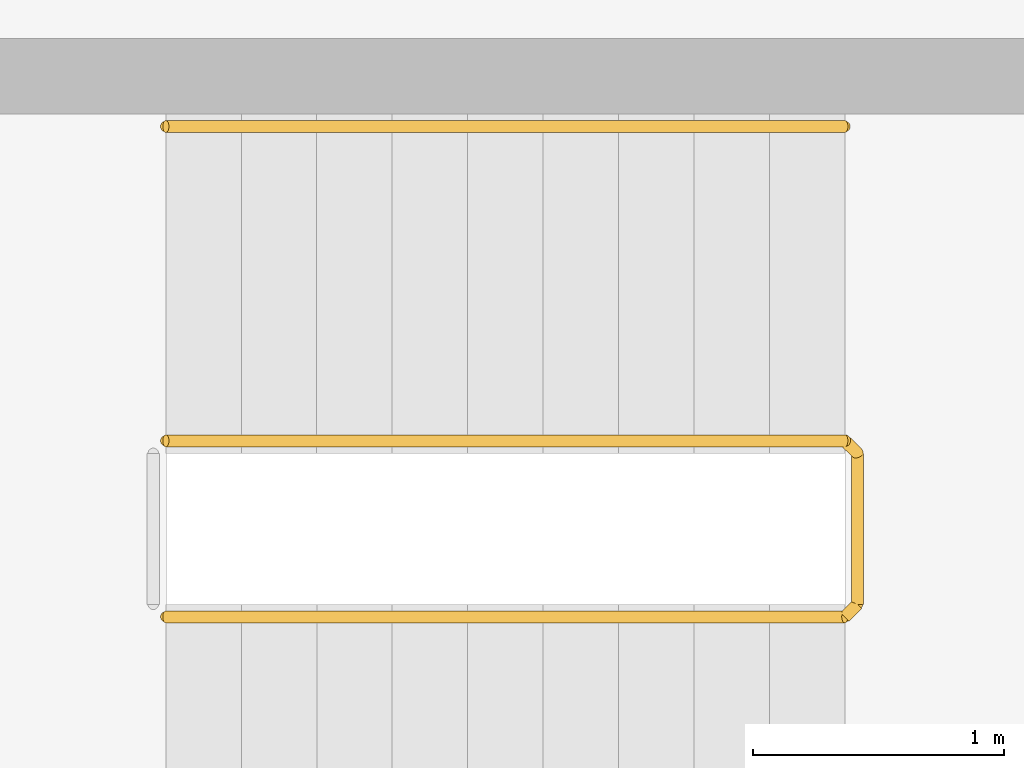
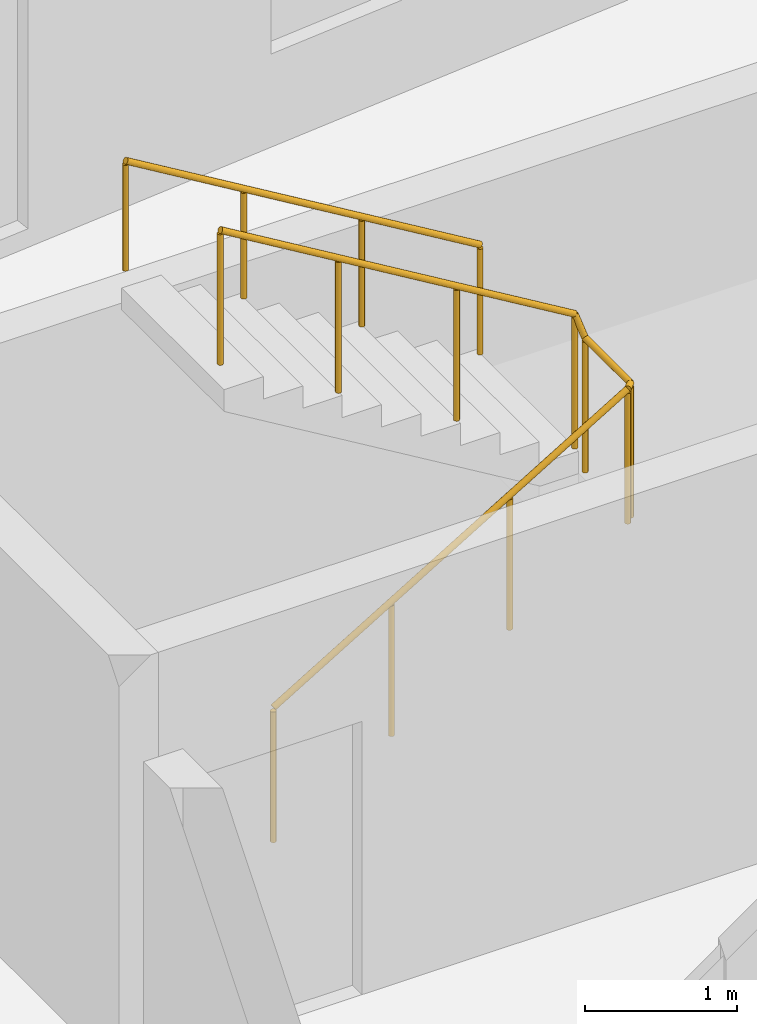
# One storey, part 13 of 13: 2 railings.
"""IFC4 building model written with IfcOpenShell, lengths in metres."""

from ifc_helpers import new_model, si_unit, direction, frame, origin, origin_2d, place, context, subcontext, project, spatial, circle, extrude, material, type_object, element, save


model = new_model("IFC4")

# Units and contexts
model_context = context("Model", 3, precision=1e-05, world=origin(), true_north=direction((0.0, 1.0)))
body_context = subcontext(model_context, "Body", "Model", "MODEL_VIEW")
ifc_project = project(units=[si_unit("LENGTHUNIT", "METRE"), si_unit("AREAUNIT", "SQUARE_METRE"), si_unit("VOLUMEUNIT", "CUBIC_METRE"), si_unit("PLANEANGLEUNIT", "RADIAN"), si_unit("MASSUNIT", "GRAM", prefix="KILO")], contexts=[model_context])

# Site, building, storey
site_placement = place(None, origin())
site = spatial("IfcSite", under=ifc_project, at=site_placement, CompositionType="ELEMENT")
building_placement = place(site_placement, origin())
building = spatial("IfcBuilding", under=site, at=building_placement, Name="Brondeck Convention Tower", CompositionType="ELEMENT")
storey_placement = place(building_placement, frame((0.0, 0.0, 44.699951171875)))
storey = spatial("IfcBuildingStorey", under=building, at=storey_placement, Name="L08", CompositionType="ELEMENT", Elevation=44.699951171875)

# Railings
ifc_material = material(Name="Steel S355", Category="steel")
railing_type_1 = type_object("IfcRailingType", Name="Stair guard 1100", PredefinedType="GUARDRAIL", material=ifc_material)
railing_1_placement = place(storey_placement, frame((37.85009765625, 55.449951171875, 0.179931640625)))
element("IfcRailing", 1, at=railing_1_placement, inside=storey, type_object=railing_type_1, Name="L08 ST-AE stair guard 1", PredefinedType="GUARDRAIL", context=body_context, shape_type="SweptSolid", body=[
    extrude(circle(Radius=0.02392578125, at=origin_2d()), frame((0.0, 0.0, 1.076171875), z_axis=(0.857472400752, 0.0, 0.514529962148), x_axis=(0.0, 1.0, 0.0)), (0.0, 0.0, 1.0), 3.148681640625),
    extrude(circle(Radius=0.02392578125, at=origin_2d()), frame((2.699951171875, 0.0, 2.6962890625), z_axis=(0.707106781187, 0.707106781187, 0.0), x_axis=(-0.707106781187, 0.707106781187, 0.0)), (0.0, 0.0, 1.0), 0.07080078125),
    extrude(circle(Radius=0.02392578125, at=origin_2d()), frame((2.75, 0.050048828125, 2.6962890625), z_axis=(0.0, 1.0, 0.0), x_axis=(-1.0, 0.0, 0.0)), (0.0, 0.0, 1.0), 0.60009765625),
    extrude(circle(Radius=0.02392578125, at=origin_2d()), frame((2.75, 0.650146484375, 2.6962890625), z_axis=(-0.258932105505, 0.257669022063, 0.930892496375), x_axis=(-0.705375805398, -0.708833529934, 0.0)), (0.0, 0.0, 1.0), 0.193359375),
    extrude(circle(Radius=0.02392578125, at=origin_2d()), frame((2.699951171875, 0.699951171875, 2.8759765625), z_axis=(-0.857472400752, 0.0, 0.514529962148), x_axis=(0.0, -1.0, 0.0)), (0.0, 0.0, 1.0), 3.148681640625),
    extrude(circle(Radius=0.02099609375, at=origin_2d()), origin(), (0.0, 0.0, 1.0), 1.052001953125),
    extrude(circle(Radius=0.02099609375, at=origin_2d()), frame((0.89990234375, 0.0, 0.5400390625)), (0.0, 0.0, 1.0), 1.052001953125),
    extrude(circle(Radius=0.02099609375, at=origin_2d()), frame((1.800048828125, 0.0, 1.080078125)), (0.0, 0.0, 1.0), 1.052001953125),
    extrude(circle(Radius=0.02099609375, at=origin_2d()), frame((2.699951171875, 0.0, 1.6201171875)), (0.0, 0.0, 1.0), 1.052001953125),
    extrude(circle(Radius=0.02099609375, at=origin_2d()), frame((2.75, 0.050048828125, 1.6201171875)), (0.0, 0.0, 1.0), 1.052001953125),
    extrude(circle(Radius=0.02099609375, at=origin_2d()), frame((2.75, 0.650146484375, 1.6201171875)), (0.0, 0.0, 1.0), 1.052001953125),
    extrude(circle(Radius=0.02099609375, at=origin_2d()), frame((2.699951171875, 0.699951171875, 1.800048828125)), (0.0, 0.0, 1.0), 1.052001953125),
    extrude(circle(Radius=0.02099609375, at=origin_2d()), frame((1.800048828125, 0.699951171875, 2.340087890625)), (0.0, 0.0, 1.0), 1.052001953125),
    extrude(circle(Radius=0.02099609375, at=origin_2d()), frame((0.89990234375, 0.699951171875, 2.880126953125)), (0.0, 0.0, 1.0), 1.052001953125),
    extrude(circle(Radius=0.02099609375, at=origin_2d()), frame((0.0, 0.699951171875, 3.420166015625)), (0.0, 0.0, 1.0), 1.052001953125),
])
railing_type_2 = type_object("IfcRailingType", Name="Stair handrail", PredefinedType="HANDRAIL", material=ifc_material)
railing_2_placement = place(storey_placement, frame((40.550048828125, 57.39990234375, 1.97998046875)))
element("IfcRailing", 2, at=railing_2_placement, inside=storey, type_object=railing_type_2, Name="L08 ST-AE stair handrail 2", PredefinedType="HANDRAIL", context=body_context, shape_type="SweptSolid", body=[
    extrude(circle(Radius=0.02392578125, at=origin_2d()), frame((0.0, 0.0, 0.8759765625), z_axis=(-0.857472400752, 0.0, 0.514529962148), x_axis=(0.0, -1.0, 0.0)), (0.0, 0.0, 1.0), 3.148681640625),
    extrude(circle(Radius=0.02099609375, at=origin_2d()), origin(), (0.0, 0.0, 1.0), 0.851806640625),
    extrude(circle(Radius=0.02099609375, at=origin_2d()), frame((-0.89990234375, 0.0, 0.5400390625)), (0.0, 0.0, 1.0), 0.851806640625),
    extrude(circle(Radius=0.02099609375, at=origin_2d()), frame((-1.800048828125, 0.0, 1.080078125)), (0.0, 0.0, 1.0), 0.851806640625),
    extrude(circle(Radius=0.02099609375, at=origin_2d()), frame((-2.699951171875, 0.0, 1.6201171875)), (0.0, 0.0, 1.0), 0.851806640625),
])

save(model, "model.ifc")
